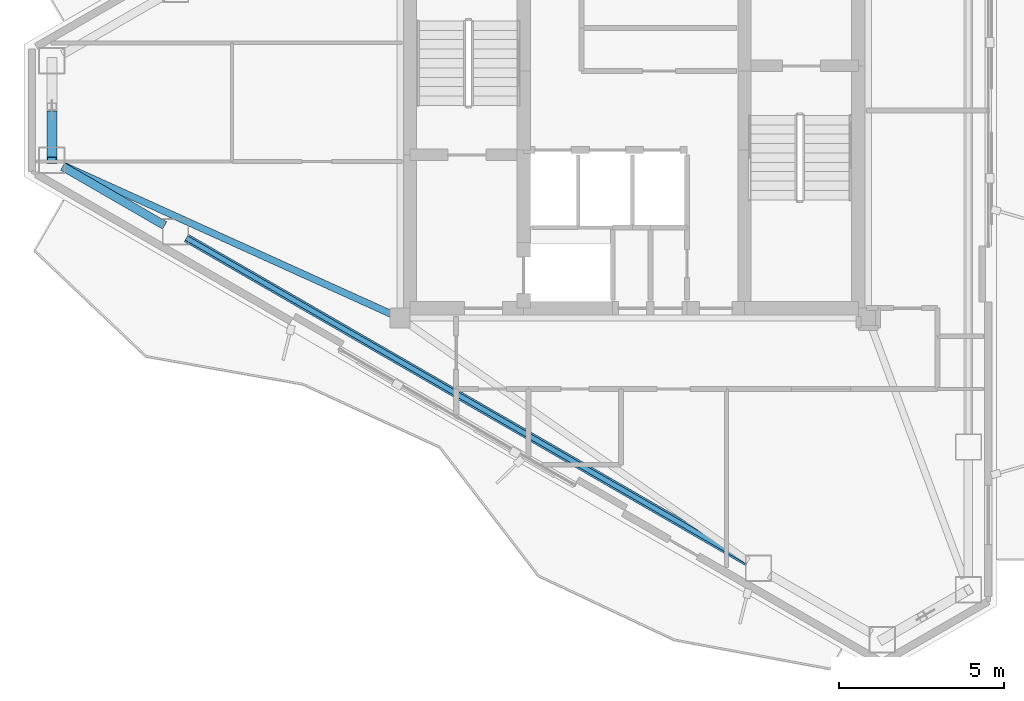
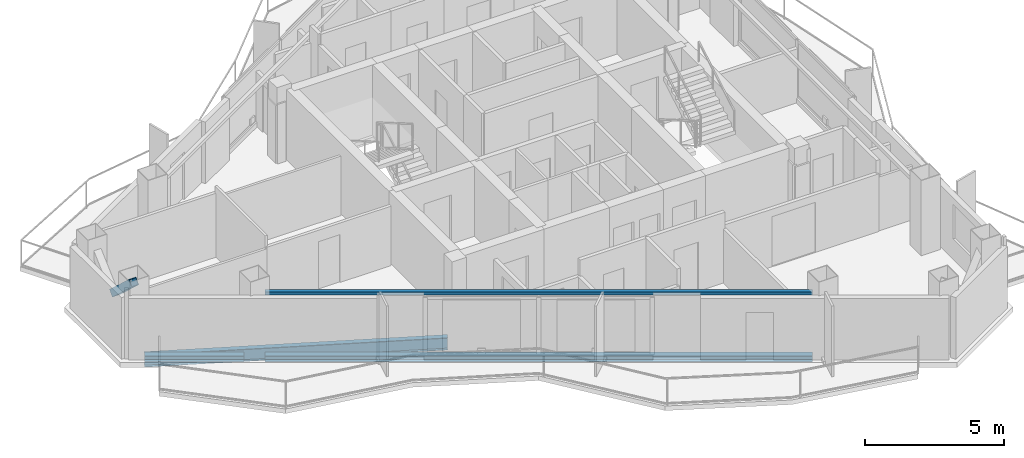
# One storey, part 3 of 18: 4 beams, 1 member.
"""IFC4 building model written with IfcOpenShell, lengths in metres."""

import ifcopenshell
import ifcopenshell.guid

model = None  # the IFC model being written
_history = None  # IfcOwnerHistory: only IFC2X3 demands one
_inside = {}  # id of a spatial element -> (the spatial element, [elements in it])
_under = {}  # id of a project, library or spatial element -> (it, [spatial elements below it])
_declared = {}  # id of a project -> (the project, [libraries it declares])
_typed = {}  # id of a type object -> (the type object, [elements of that type])
_made_of = {}  # id of a material, layer set ... -> (it, [elements and type objects made of it])


def new_model(schema):
    """Start an empty IFC model of exactly this schema.

    Asked for "IFC4X3", IfcOpenShell would pick the latest addendum, in which some entities
    have other attributes; the version numbers below select the first issue.
    IFC2X3 requires an IfcOwnerHistory on every rooted entity: one is made here for all.
    """
    global model, _history
    if schema == "IFC4X3":
        model = ifcopenshell.file(schema_version=(4, 3, 0, 0))
    else:
        model = ifcopenshell.file(schema=schema)
    _inside.clear()
    _under.clear()
    _declared.clear()
    _typed.clear()
    _made_of.clear()
    _history = None
    if model.schema == "IFC2X3":
        org = make("IfcOrganization", Name="unknown")
        user = make(
            "IfcPersonAndOrganization",
            ThePerson=make("IfcPerson", FamilyName="unknown"),
            TheOrganization=org,
        )
        app = make(
            "IfcApplication",
            ApplicationDeveloper=org,
            Version="unknown",
            ApplicationFullName="unknown",
            ApplicationIdentifier="unknown",
        )
        _history = make(
            "IfcOwnerHistory",
            OwningUser=user,
            OwningApplication=app,
            ChangeAction="ADDED",
            CreationDate=0,
        )
    return model


def make(cls, **values):
    """One entity of the class cls with the attributes given. An attribute that is None is left unset."""
    return model.create_entity(
        cls, **{name: value for name, value in values.items() if value is not None}
    )


def rooted(cls, **values):
    """An entity with a GlobalId (a new one), such as an element, a storey or a relation."""
    return make(cls, GlobalId=ifcopenshell.guid.new(), OwnerHistory=_history, **values)


def si_unit(unit_type, name, prefix=None):
    """IfcSIUnit, for example si_unit("LENGTHUNIT", "METRE", prefix="MILLI")."""
    return make("IfcSIUnit", UnitType=unit_type, Prefix=prefix, Name=name)


def assignment(units):
    """IfcUnitAssignment: the units of a project."""
    return None if units is None else make("IfcUnitAssignment", Units=units)


def point(xyz):
    """IfcCartesianPoint."""
    return None if xyz is None else make("IfcCartesianPoint", Coordinates=xyz)


def direction(xyz):
    """IfcDirection."""
    return None if xyz is None else make("IfcDirection", DirectionRatios=xyz)


def frame(location, z_axis=None, x_axis=None):
    """IfcAxis2Placement3D, a coordinate frame: its origin and axes. An axis left out is left unset."""
    return make(
        "IfcAxis2Placement3D",
        Location=point(location),
        Axis=direction(z_axis),
        RefDirection=direction(x_axis),
    )


def frame_2d(location, x_axis=None):
    """IfcAxis2Placement2D, a coordinate frame in the plane: its origin and x axis."""
    return make(
        "IfcAxis2Placement2D", Location=point(location), RefDirection=direction(x_axis)
    )


def origin():
    """The frame at (0, 0, 0) with its axes left unset."""
    return frame((0.0, 0.0, 0.0))


def origin_2d():
    """The frame at (0, 0) in the plane with its x axis left unset."""
    return frame_2d((0.0, 0.0))


def place(relative_to, where):
    """IfcLocalPlacement: puts the frame where relative to a parent placement (None: the world)."""
    return make(
        "IfcLocalPlacement", PlacementRelTo=relative_to, RelativePlacement=where
    )


def context(
    kind, dimensions, precision=None, world=None, true_north=None, identifier=None
):
    """IfcGeometricRepresentationContext, for example the 3D "Model" context."""
    return make(
        "IfcGeometricRepresentationContext",
        ContextIdentifier=identifier,
        ContextType=kind,
        CoordinateSpaceDimension=dimensions,
        Precision=precision,
        WorldCoordinateSystem=world,
        TrueNorth=true_north,
    )


def subcontext(parent, identifier, kind, view, scale=None):
    """IfcGeometricRepresentationSubContext, for example "Body" below "Model"."""
    return make(
        "IfcGeometricRepresentationSubContext",
        ContextIdentifier=identifier,
        ContextType=kind,
        ParentContext=parent,
        TargetScale=scale,
        TargetView=view,
    )


def project(units=None, contexts=None):
    """IfcProject with its units and contexts."""
    return rooted(
        "IfcProject",
        Name="project",
        RepresentationContexts=contexts,
        UnitsInContext=assignment(units),
    )


def spatial(cls, under=None, at=None, **own):
    """A site, building, storey or space (cls), placed at a placement, below another one or the project."""
    s = rooted(cls, ObjectPlacement=at, **own)
    if under is not None:
        _under.setdefault(under.id(), (under, []))[1].append(s)
    return s


def profile(cls, at=None, kind="AREA", **sizes):
    """A parametric profile (cls). Its sizes go by their IFC names, for example OverallWidth=200.0."""
    return make(cls, ProfileType=kind, Position=at, **sizes)


def hollow_rectangle(**sizes):
    """IfcRectangleHollowProfileDef."""
    return profile("IfcRectangleHollowProfileDef", **sizes)


def i_section(**sizes):
    """IfcIShapeProfileDef."""
    return profile("IfcIShapeProfileDef", **sizes)


def extrude(swept, where, along, depth):
    """IfcExtrudedAreaSolid: the profile swept, set in the frame where, extruded along a direction by depth."""
    return make(
        "IfcExtrudedAreaSolid",
        SweptArea=swept,
        Position=where,
        ExtrudedDirection=direction(along),
        Depth=depth,
    )


def shape(context_of_items, identifier, shape_type, items):
    """IfcShapeRepresentation: the items that make up one representation, for example the "Body"."""
    return make(
        "IfcShapeRepresentation",
        ContextOfItems=context_of_items,
        RepresentationIdentifier=identifier,
        RepresentationType=shape_type,
        Items=items,
    )


def material(Name=None, Category=None):
    """IfcMaterial."""
    return make("IfcMaterial", Name=Name, Category=Category)


def material_profile(
    of_material, cross_section, Name=None, Category=None, Priority=None
):
    """IfcMaterialProfile: a cross section and its material."""
    return make(
        "IfcMaterialProfile",
        Name=Name,
        Material=of_material,
        Profile=cross_section,
        Priority=Priority,
        Category=Category,
    )


def profile_set(profiles, Name=None, composite=None):
    """IfcMaterialProfileSet."""
    return make(
        "IfcMaterialProfileSet",
        Name=Name,
        MaterialProfiles=profiles,
        CompositeProfile=composite,
    )


def made_of(thing, what):
    """Note that an element or type object is made of a material, layer set ...; save() writes the relation."""
    if what is not None:
        _made_of.setdefault(what.id(), (what, []))[1].append(thing)
    return thing


def type_object(cls, material=None, **own):
    """A type object (cls), such as IfcWallType, which elements share."""
    return made_of(rooted(cls, **own), material)


def element(
    cls,
    number,
    at=None,
    inside=None,
    cuts=None,
    type_object=None,
    material=None,
    context=None,
    identifier="Body",
    shape_type=None,
    held_by="IfcProductDefinitionShape",
    body=None,
    shapes=None,
    **own,
):
    """One element of the class cls, such as IfcWall. Its Tag is "e" and its number.

    at: its placement. inside: the storey or other place that contains it. cuts: it is an
    opening in that element (IfcRelVoidsElement). A single representation is given by context,
    identifier, shape_type and body (its items); several are given by shapes. held_by: the class
    of the entity that holds the representations. save() writes the other relations.
    """
    e = rooted(cls, Tag="e%d" % number, ObjectPlacement=at, **own)
    if body is not None:
        shapes = [shape(context, identifier, shape_type, body)]
    if shapes is not None:
        e.Representation = make(held_by, Representations=shapes)
    if inside is not None:
        _inside.setdefault(inside.id(), (inside, []))[1].append(e)
    if cuts is not None:
        rooted(
            "IfcRelVoidsElement", RelatingBuildingElement=cuts, RelatedOpeningElement=e
        )
    if type_object is not None:
        _typed.setdefault(type_object.id(), (type_object, []))[1].append(e)
    return made_of(e, material)


def aggregate(whole, parts):
    """IfcRelAggregates: a whole, such as a stair, and the parts it consists of."""
    return rooted("IfcRelAggregates", RelatingObject=whole, RelatedObjects=parts)


def save(model, path):
    """Write the relations noted so far, then the file.

    IfcRelAggregates (storeys below a building ...), IfcRelContainedInSpatialStructure (elements
    in a storey), IfcRelDefinesByType, IfcRelAssociatesMaterial and IfcRelDeclares: one each for
    every whole, place, type object, material and project.
    """
    for whole, parts in _under.values():
        aggregate(whole, parts)
    for where, things in _inside.values():
        rooted(
            "IfcRelContainedInSpatialStructure",
            RelatedElements=things,
            RelatingStructure=where,
        )
    for kind, things in _typed.values():
        rooted("IfcRelDefinesByType", RelatedObjects=things, RelatingType=kind)
    for what, things in _made_of.values():
        rooted("IfcRelAssociatesMaterial", RelatedObjects=things, RelatingMaterial=what)
    for by, libraries in _declared.values():
        rooted("IfcRelDeclares", RelatingContext=by, RelatedDefinitions=libraries)
    model.write(path)


model = new_model("IFC4")

# Units and contexts
model_context = context("Model", 3, precision=1e-05, world=origin(), true_north=direction((0.0, 1.0)))
body_context = subcontext(model_context, "Body", "Model", "MODEL_VIEW")
ifc_project = project(units=[si_unit("LENGTHUNIT", "METRE"), si_unit("AREAUNIT", "SQUARE_METRE"), si_unit("VOLUMEUNIT", "CUBIC_METRE"), si_unit("PLANEANGLEUNIT", "RADIAN"), si_unit("MASSUNIT", "GRAM", prefix="KILO")], contexts=[model_context])

# Site, building, storey
site_placement = place(None, origin())
site = spatial("IfcSite", under=ifc_project, at=site_placement, CompositionType="ELEMENT")
building_placement = place(site_placement, origin())
building = spatial("IfcBuilding", under=site, at=building_placement, Name="Mersakhor Tower and Convention Hall", CompositionType="ELEMENT")
storey_placement = place(building_placement, frame((0.0, 0.0, 233.10009765625)))
storey = spatial("IfcBuildingStorey", under=building, at=storey_placement, Name="L65", CompositionType="ELEMENT", Elevation=233.10009765625)

# Beams
ifc_material_1 = material(Name="Steel S355", Category="steel")
ifc_material_profile_1 = material_profile(ifc_material_1, i_section(OverallWidth=0.2099609375, OverallDepth=0.53662109375, WebThickness=0.0107421875, FlangeThickness=0.017333984375, at=origin_2d()), Name="UB 533x210x101")
ifc_profile_set_1 = profile_set([ifc_material_profile_1], Name="Steel S355")
beam_type_1 = type_object("IfcBeamType", Name="BM-FB-533", PredefinedType="BEAM", material=ifc_profile_set_1)
beam_1_placement = place(storey_placement, frame((21.64501953125, 20.565673828125, -0.488525390625), z_axis=(-0.910860191929, 0.412715047895, 0.0), x_axis=(-0.412715047895, -0.910860191929, 0.0)))
element("IfcBeam", 1, at=beam_1_placement, inside=storey, type_object=beam_type_1, Name="L65 Primary Floor Girder FG-6", PredefinedType="BEAM", context=body_context, shape_type="SweptSolid", body=[
    extrude(i_section(OverallWidth=0.2099609375, OverallDepth=0.53662109375, WebThickness=0.0107421875, FlangeThickness=0.017333984375, at=origin_2d()), origin(), (0.0, 0.0, 1.0), 10.9423828125),
])
ifc_material_2 = material(Name="Steel S355", Category="steel")
ifc_material_profile_2 = material_profile(ifc_material_2, hollow_rectangle(XDim=0.14990234375, YDim=0.14990234375, WallThickness=0.010009765625, at=origin_2d()), Name="SHS 150x150x10")
ifc_profile_set_2 = profile_set([ifc_material_profile_2], Name="Steel S355")
beam_type_2 = type_object("IfcBeamType", Name="BM-GRT-SHS150", PredefinedType="USERDEFINED", material=ifc_profile_set_2)
beam_2_placement = place(storey_placement, frame((32.4423828125, 13.050537109375, 2.47998046875), z_axis=(-0.866021610626, 0.500006569886, 0.0), x_axis=(-0.500006569886, -0.866021610626, 0.0)))
element("IfcBeam", 2, at=beam_2_placement, inside=storey, type_object=beam_type_2, Name="L65 Facade Support Girt GRT-F3", ObjectType="GIRT", PredefinedType="USERDEFINED", context=body_context, shape_type="SweptSolid", body=[
    extrude(hollow_rectangle(XDim=0.14990234375, YDim=0.14990234375, WallThickness=0.010009765625, at=origin_2d()), origin(), (0.0, 0.0, 1.0), 19.661865234375),
])
ifc_material_3 = material(Name="Steel S355", Category="steel")
ifc_material_profile_3 = material_profile(ifc_material_3, i_section(OverallWidth=0.25634765625, OverallDepth=0.26025390625, WebThickness=0.01025390625, FlangeThickness=0.017333984375, at=origin_2d()), Name="UC 254x254x89")
ifc_profile_set_3 = profile_set([ifc_material_profile_3], Name="Steel S355")
beam_type_3 = type_object("IfcBeamType", Name="BM-SPD-UC254", PredefinedType="SPANDREL", material=ifc_profile_set_3)
beam_3_placement = place(storey_placement, frame((32.4423828125, 13.050537109375, -0.35009765625), z_axis=(-0.866021610626, 0.500006569886, 0.0), x_axis=(-0.500006569886, -0.866021610626, 0.0)))
element("IfcBeam", 3, at=beam_3_placement, inside=storey, type_object=beam_type_3, Name="L65 Perimeter Spandrel Beam SPB-10", PredefinedType="SPANDREL", context=body_context, shape_type="SweptSolid", body=[
    extrude(i_section(OverallWidth=0.25634765625, OverallDepth=0.26025390625, WebThickness=0.01025390625, FlangeThickness=0.017333984375, at=origin_2d()), origin(), (0.0, 0.0, 1.0), 19.661865234375),
])
beam_4_placement = place(storey_placement, frame((14.756591796875, 23.261474609375, -0.35009765625), z_axis=(-0.866032030752, 0.499988521579, 0.0), x_axis=(-0.499988521579, -0.866032030752, 0.0)))
element("IfcBeam", 4, at=beam_4_placement, inside=storey, type_object=beam_type_3, Name="L65 Perimeter Spandrel Beam SPB-11", PredefinedType="SPANDREL", context=body_context, shape_type="SweptSolid", body=[
    extrude(i_section(OverallWidth=0.25634765625, OverallDepth=0.26025390625, WebThickness=0.01025390625, FlangeThickness=0.017333984375, at=origin_2d()), origin(), (0.0, 0.0, 1.0), 3.57421875),
])

# Member
ifc_material_4 = material(Name="Steel S355", Category="steel")
ifc_material_profile_4 = material_profile(ifc_material_4, hollow_rectangle(XDim=0.300048828125, YDim=0.300048828125, WallThickness=0.01611328125, at=origin_2d()), Name="SHS 300x300x16")
ifc_profile_set_4 = profile_set([ifc_material_profile_4], Name="Steel S355")
member_type = type_object("IfcMemberType", Name="MB-BRC-SHS300", PredefinedType="BRACE", material=ifc_profile_set_4)
member_placement = place(storey_placement, frame((11.33203125, 26.63330078125, 1.647216796875), z_axis=(0.0, -0.735997778537, 0.676983951057), x_axis=(1.0, 0.0, 0.0)))
element("IfcMember", 5, at=member_placement, inside=storey, type_object=member_type, Name="L65 Chamfer Braced Frame Diagonal CB-3B Upper Half", PredefinedType="BRACE", context=body_context, shape_type="SweptSolid", body=[
    extrude(hollow_rectangle(XDim=0.300048828125, YDim=0.300048828125, WallThickness=0.01611328125, at=origin_2d()), origin(), (0.0, 0.0, 1.0), 1.894775390625),
])

save(model, "model.ifc")
